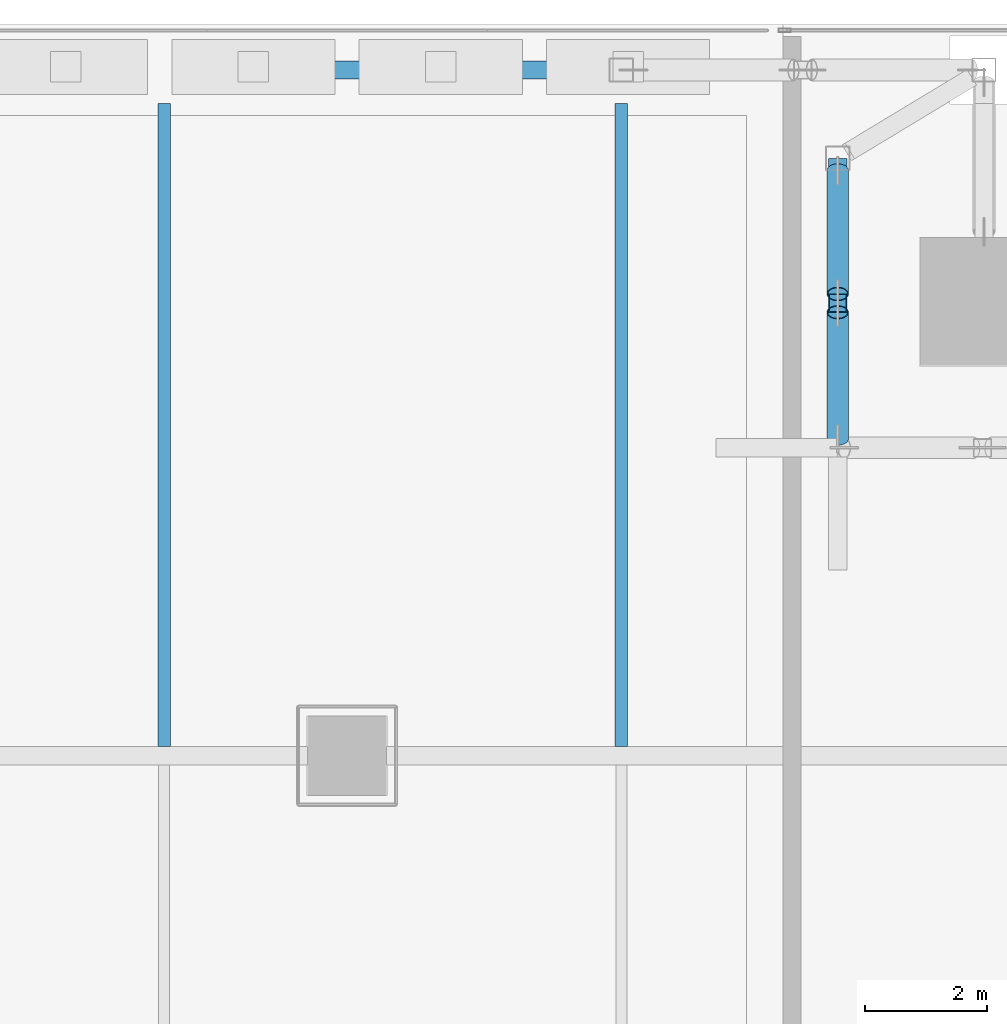
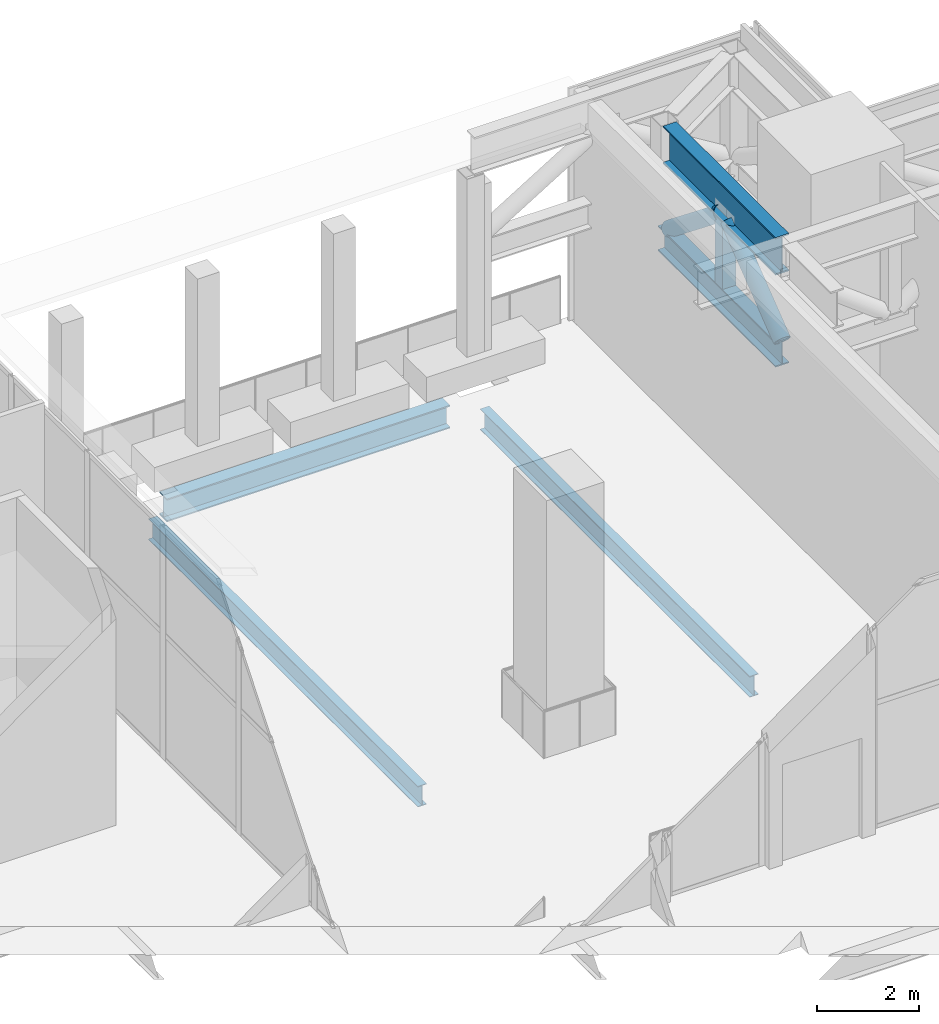
# One storey, part 28 of 47: 5 members, 3 beams.
"""IFC4 building model written with IfcOpenShell, lengths in metres."""

from ifc_helpers import new_model, si_unit, direction, frame, origin, origin_2d, place, context, subcontext, project, spatial, hollow_rectangle, hollow_circle, i_section, extrude, source, transform, mapped, material, material_profile, profile_set, type_object, element, save


model = new_model("IFC4")

# Units and contexts
model_context = context("Model", 3, precision=1e-05, world=origin(), true_north=direction((0.0, 1.0)))
body_context = subcontext(model_context, "Body", "Model", "MODEL_VIEW")
ifc_project = project(units=[si_unit("LENGTHUNIT", "METRE"), si_unit("AREAUNIT", "SQUARE_METRE"), si_unit("VOLUMEUNIT", "CUBIC_METRE"), si_unit("PLANEANGLEUNIT", "RADIAN"), si_unit("MASSUNIT", "GRAM", prefix="KILO")], contexts=[model_context])

# Site, building, storey
site_placement = place(None, origin())
site = spatial("IfcSite", under=ifc_project, at=site_placement, CompositionType="ELEMENT")
building_placement = place(site_placement, origin())
building = spatial("IfcBuilding", under=site, at=building_placement, Name="Khomas Fold Tower", CompositionType="ELEMENT")
storey_placement = place(building_placement, frame((0.0, 0.0, 158.699951171875)))
storey = spatial("IfcBuildingStorey", under=building, at=storey_placement, Name="L34", CompositionType="ELEMENT", Elevation=158.699951171875)

# Beams
ifc_material_1 = material(Name="Steel S355", Category="steel")
ifc_material_profile_1 = material_profile(ifc_material_1, i_section(OverallWidth=0.300048828125, OverallDepth=0.550048828125, WebThickness=0.014892578125, FlangeThickness=0.029052734375, at=origin_2d()), Name="HE 550 B")
ifc_profile_set_1 = profile_set([ifc_material_profile_1], Name="Steel S355")
beam_type_1 = type_object("IfcBeamType", Name="HE 550 B spandrel SB2", PredefinedType="SPANDREL", material=ifc_profile_set_1)
shared_shape_1 = source(origin(), body_context, "Body", "SweptSolid", [
    extrude(i_section(OverallWidth=0.300048828125, OverallDepth=0.550048828125, WebThickness=0.014892578125, FlangeThickness=0.029052734375, at=origin_2d()), origin(), (0.0, 0.0, 1.0), 6.39990234375),
])
beam_placement = place(storey_placement, frame((35.050048828125, 51.75, -0.724853515625), z_axis=(1.0, 0.0, 0.0), x_axis=(0.0, 1.0, 0.0)))
element("IfcBeam", 1, at=beam_placement, inside=storey, type_object=beam_type_1, Name="SB2", PredefinedType="SPANDREL", context=body_context, shape_type="MappedRepresentation", body=[
    mapped(shared_shape_1, transform((0.0, 0.0, 0.0))),
])
ifc_material_2 = material(Name="Steel S355", Category="steel")
ifc_material_profile_2 = material_profile(ifc_material_2, i_section(OverallWidth=0.199951171875, OverallDepth=0.5, WebThickness=0.01025390625, FlangeThickness=0.01611328125, at=origin_2d()), Name="IPE 500")
ifc_profile_set_2 = profile_set([ifc_material_profile_2], Name="Steel S355")
beam_type_2 = type_object("IfcBeamType", Name="IPE 500 beam JB5", PredefinedType="BEAM", material=ifc_profile_set_2)
shared_shape_2 = source(origin(), body_context, "Body", "SweptSolid", [
    extrude(i_section(OverallWidth=0.199951171875, OverallDepth=0.5, WebThickness=0.01025390625, FlangeThickness=0.01611328125, at=origin_2d()), origin(), (0.0, 0.0, 1.0), 10.550048828125),
])
for number, where, z_axis, x_axis, name in (
    (2, (34.5, 40.64990234375, -0.699951171875), (0.0, 1.0, 0.0), (-1.0, 0.0, 0.0), "JB5"),
    (3, (42.0, 40.64990234375, -0.699951171875), (0.0, 1.0, 0.0), (-1.0, 0.0, 0.0), "JB5"),
):
    element("IfcBeam", number, at=place(storey_placement, frame(where, z_axis=z_axis, x_axis=x_axis)), inside=storey, type_object=beam_type_2, Name=name, PredefinedType="BEAM", context=body_context, shape_type="MappedRepresentation", body=[
        mapped(shared_shape_2, transform((0.0, 0.0, 0.0))),
    ])

# Members
ifc_material_3 = material(Name="Steel S355", Category="steel")
ifc_material_profile_3 = material_profile(ifc_material_3, hollow_rectangle(XDim=0.300048828125, YDim=0.300048828125, WallThickness=0.012451171875, at=origin_2d()), Name="SHS 300x300x12.5")
ifc_profile_set_3 = profile_set([ifc_material_profile_3], Name="Steel S355")
member_type_1 = type_object("IfcMemberType", Name="BELT TRUSS 2 MID POST SHS 300x300x12.5", PredefinedType="POST", material=ifc_profile_set_3)
shared_shape_3 = source(origin(), body_context, "Body", "SweptSolid", [
    extrude(hollow_rectangle(XDim=0.300048828125, YDim=0.300048828125, WallThickness=0.012451171875, at=origin_2d()), origin(), (0.0, 0.0, 1.0), 1.60009765625),
])
member_1_placement = place(storey_placement, frame((45.550048828125, 47.925048828125, 3.25), z_axis=(0.0, 0.0, 1.0), x_axis=(1.0, 0.0, 0.0)))
element("IfcMember", 4, at=member_1_placement, inside=storey, type_object=member_type_1, Name="BT2-M", PredefinedType="POST", context=body_context, shape_type="MappedRepresentation", body=[
    mapped(shared_shape_3, transform((0.0, 0.0, 0.0))),
])
ifc_material_4 = material(Name="Steel S355", Category="steel")
ifc_material_profile_4 = material_profile(ifc_material_4, hollow_circle(Radius=0.177734375, WallThickness=0.01611328125, at=origin_2d()), Name="CHS 355.6x16")
ifc_profile_set_4 = profile_set([ifc_material_profile_4], Name="Steel S355")
member_type_2 = type_object("IfcMemberType", Name="BELT TRUSS 2 DIAGONAL CHS 355.6x16", PredefinedType="BRACE", material=ifc_profile_set_4)
shared_shape_4 = source(origin(), body_context, "Body", "SweptSolid", [
    extrude(hollow_circle(Radius=0.177734375, WallThickness=0.01611328125, at=origin_2d()), origin(), (0.0, 0.0, 1.0), 2.587158203125),
])
member_2_placement = place(storey_placement, frame((45.550048828125, 50.10009765625, 3.2451171875), z_axis=(0.0, -0.782798501994, 0.622275264876), x_axis=(1.0, 0.0, 0.0)))
element("IfcMember", 5, at=member_2_placement, inside=storey, type_object=member_type_2, Name="BT2-D", PredefinedType="BRACE", context=body_context, shape_type="MappedRepresentation", body=[
    mapped(shared_shape_4, transform((0.0, 0.0, 0.0))),
])
ifc_material_5 = material(Name="Steel S460M", Category="steel")
ifc_material_profile_5 = material_profile(ifc_material_5, i_section(OverallWidth=0.300048828125, OverallDepth=0.89990234375, WebThickness=0.0185546875, FlangeThickness=0.034912109375, at=origin_2d()), Name="HE 900 B")
ifc_profile_set_5 = profile_set([ifc_material_profile_5], Name="Steel S460M")
member_type_3 = type_object("IfcMemberType", Name="BELT TRUSS 2 TOP CHORD SHORT HE 900 B", PredefinedType="CHORD", material=ifc_profile_set_5)
shared_shape_5 = source(origin(), body_context, "Body", "SweptSolid", [
    extrude(i_section(OverallWidth=0.300048828125, OverallDepth=0.89990234375, WebThickness=0.0185546875, FlangeThickness=0.034912109375, at=origin_2d()), origin(), (0.0, 0.0, 1.0), 4.400146484375),
])
member_3_placement = place(storey_placement, frame((45.550048828125, 50.10009765625, 5.300048828125), z_axis=(0.0, -1.0, 0.0), x_axis=(1.0, 0.0, 0.0)))
element("IfcMember", 6, at=member_3_placement, inside=storey, type_object=member_type_3, Name="BT2-CTS", PredefinedType="CHORD", context=body_context, shape_type="MappedRepresentation", body=[
    mapped(shared_shape_5, transform((0.0, 0.0, 0.0))),
])
shared_shape_6 = source(origin(), body_context, "Body", "SweptSolid", [
    extrude(hollow_circle(Radius=0.177734375, WallThickness=0.01611328125, at=origin_2d()), origin(), (0.0, 0.0, 1.0), 2.626220703125),
])
member_4_placement = place(storey_placement, frame((45.550048828125, 47.77490234375, 4.85498046875), z_axis=(0.0, -0.790087483617, -0.612994101303), x_axis=(1.0, 0.0, 0.0)))
element("IfcMember", 7, at=member_4_placement, inside=storey, type_object=member_type_2, Name="BT2-D", PredefinedType="BRACE", context=body_context, shape_type="MappedRepresentation", body=[
    mapped(shared_shape_6, transform((0.0, 0.0, 0.0))),
])
ifc_material_6 = material(Name="Steel S355", Category="steel")
ifc_material_profile_6 = material_profile(ifc_material_6, i_section(OverallWidth=0.300048828125, OverallDepth=0.60009765625, WebThickness=0.015380859375, FlangeThickness=0.030029296875, at=origin_2d()), Name="HE 600 B")
ifc_profile_set_6 = profile_set([ifc_material_profile_6], Name="Steel S355")
member_type_4 = type_object("IfcMemberType", Name="BELT TRUSS 2 BOTTOM CHORD SHORT HE 600 B", PredefinedType="CHORD", material=ifc_profile_set_6)
shared_shape_7 = source(origin(), body_context, "Body", "SweptSolid", [
    extrude(i_section(OverallWidth=0.300048828125, OverallDepth=0.60009765625, WebThickness=0.015380859375, FlangeThickness=0.030029296875, at=origin_2d()), origin(), (0.0, 0.0, 1.0), 4.60009765625),
])
member_5_placement = place(storey_placement, frame((45.550048828125, 50.300048828125, 2.949951171875), z_axis=(0.0, -1.0, 0.0), x_axis=(1.0, 0.0, 0.0)))
element("IfcMember", 8, at=member_5_placement, inside=storey, type_object=member_type_4, Name="BT2-CBS", PredefinedType="CHORD", context=body_context, shape_type="MappedRepresentation", body=[
    mapped(shared_shape_7, transform((0.0, 0.0, 0.0))),
])

save(model, "model.ifc")
